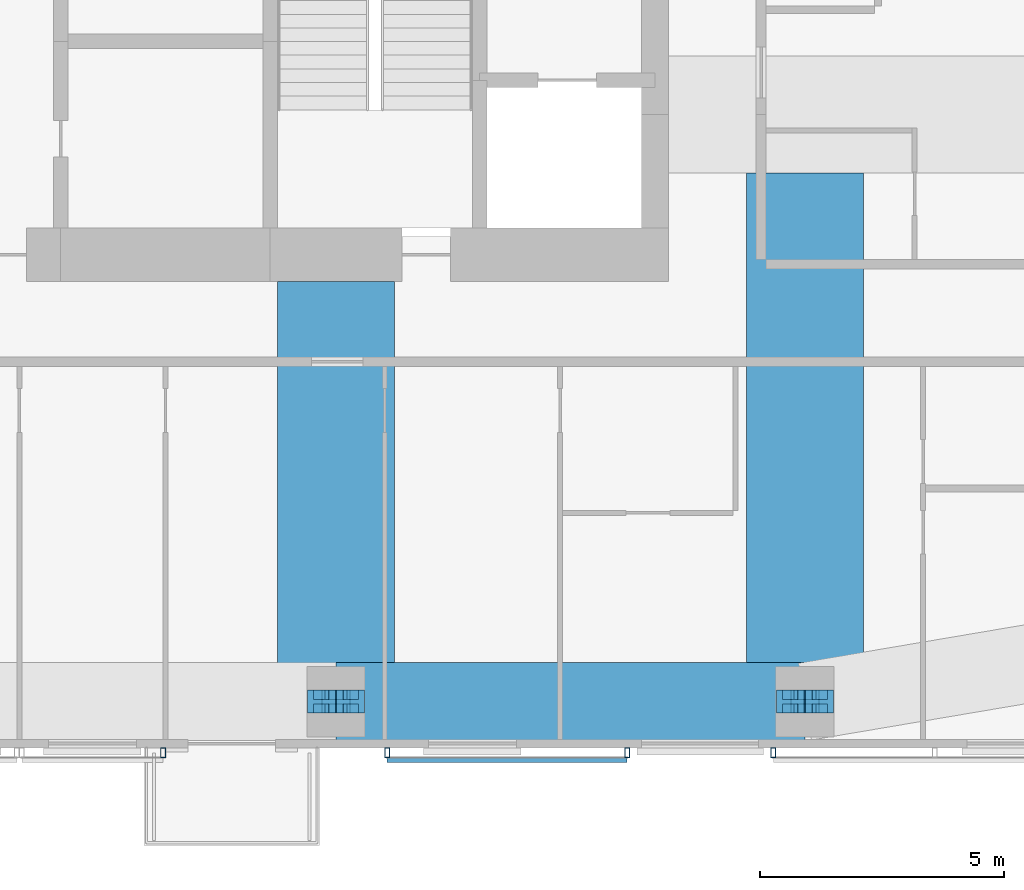
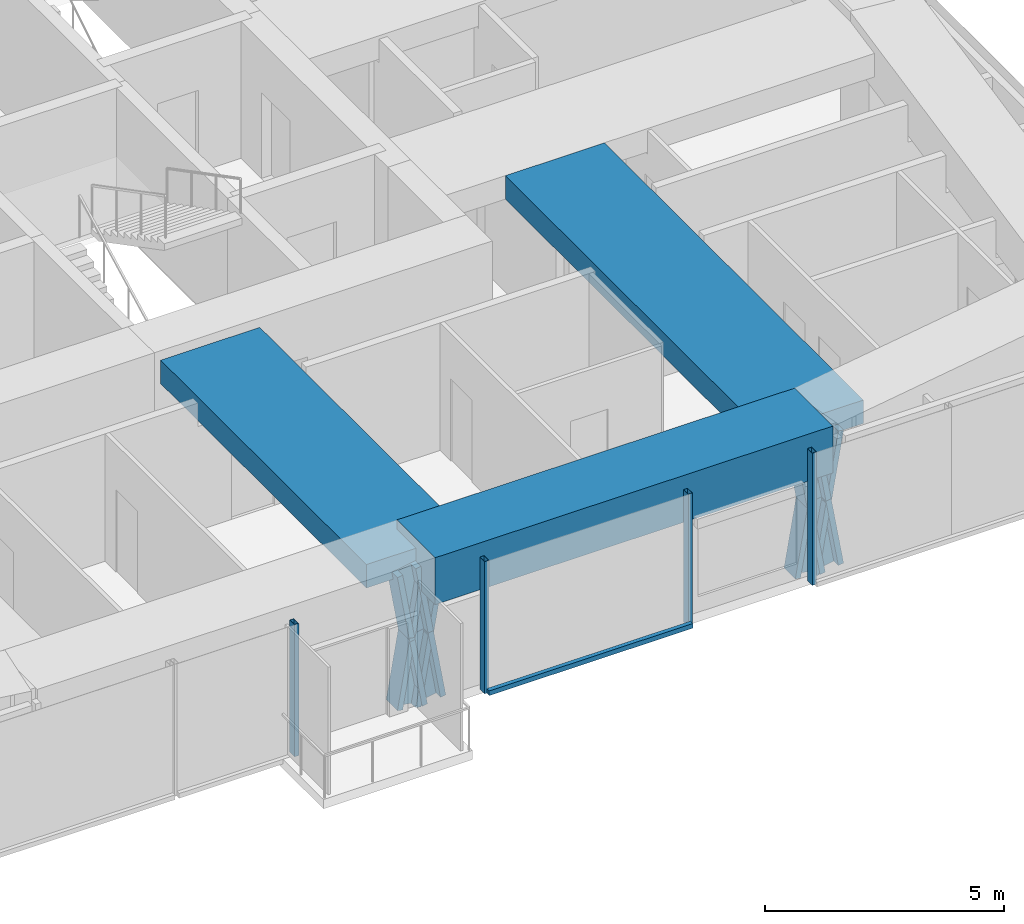
# One storey, part 4 of 18: 13 members, 3 beams, 3 elements without a shape of their own.
"""IFC4 building model written with IfcOpenShell, lengths in metres."""

from ifc_helpers import new_model, si_unit, direction, frame, origin, origin_2d, place, context, subcontext, project, spatial, rectangle, hollow_rectangle, i_section, extrude, material, material_profile, profile_set, type_object, element, aggregate, save


model = new_model("IFC4")

# Units and contexts
model_context = context("Model", 3, precision=1e-05, world=origin(), true_north=direction((0.0, 1.0)))
body_context = subcontext(model_context, "Body", "Model", "MODEL_VIEW")
ifc_project = project(units=[si_unit("LENGTHUNIT", "METRE"), si_unit("AREAUNIT", "SQUARE_METRE"), si_unit("VOLUMEUNIT", "CUBIC_METRE"), si_unit("PLANEANGLEUNIT", "RADIAN"), si_unit("MASSUNIT", "GRAM", prefix="KILO")], contexts=[model_context])

# Site, building, storey
site_placement = place(None, origin())
site = spatial("IfcSite", under=ifc_project, at=site_placement, CompositionType="ELEMENT")
building_placement = place(site_placement, origin())
building = spatial("IfcBuilding", under=site, at=building_placement, Name="Jalousie Tower", CompositionType="ELEMENT")
storey_placement = place(building_placement, frame((0.0, 0.0, 256.449951171875)))
storey = spatial("IfcBuildingStorey", under=building, at=storey_placement, Name="L70", CompositionType="ELEMENT", Elevation=256.449951171875)

# Members
ifc_material_1 = material(Name="Steel ASTM A992 Grade 50", Category="steel")
ifc_material_profile_1 = material_profile(ifc_material_1, i_section(OverallWidth=0.472412109375, OverallDepth=0.5791015625, WebThickness=0.094970703125, FlangeThickness=0.1298828125, at=origin_2d()), Name="W14X808")
ifc_profile_set_1 = profile_set([ifc_material_profile_1], Name="Steel ASTM A992 Grade 50")
member_type_1 = type_object("IfcMemberType", Name="PERIMETER BRACE W14X808", PredefinedType="BRACE", material=ifc_profile_set_1)
for number, where, z_axis, x_axis, name in (
    (1, (36.949951171875, 0.949951171875, -0.599853515625), (0.168990530437, 0.0, 0.98561767467), (0.0, 1.0, 0.0), "Perimeter brace 03 L70 part 1"),
    (2, (37.25, 0.949951171875, 1.150146484375), (0.168990530437, 0.0, 0.98561767467), (0.0, 1.0, 0.0), "Perimeter brace 03 L70 part 2"),
    (3, (37.550048828125, 0.949951171875, -0.599853515625), (-0.168990530437, 0.0, 0.98561767467), (0.0, -1.0, 0.0), "Perimeter brace 03 L70 part 3"),
    (4, (37.25, 0.949951171875, 1.150146484375), (-0.168990530437, 0.0, 0.98561767467), (0.0, -1.0, 0.0), "Perimeter brace 03 L70 part 4"),
    (5, (46.574951171875, 0.949951171875, -0.599853515625), (0.168990530437, 0.0, 0.98561767467), (0.0, 1.0, 0.0), "Perimeter brace 04 L70 part 1"),
    (6, (46.875, 0.949951171875, 1.150146484375), (0.168990530437, 0.0, 0.98561767467), (0.0, 1.0, 0.0), "Perimeter brace 04 L70 part 2"),
    (7, (47.175048828125, 0.949951171875, -0.599853515625), (-0.168990530437, 0.0, 0.98561767467), (0.0, -1.0, 0.0), "Perimeter brace 04 L70 part 3"),
    (8, (46.875, 0.949951171875, 1.150146484375), (-0.168990530437, 0.0, 0.98561767467), (0.0, -1.0, 0.0), "Perimeter brace 04 L70 part 4"),
):
    element("IfcMember", number, at=place(storey_placement, frame(where, z_axis=z_axis, x_axis=x_axis)), inside=storey, type_object=member_type_1, Name=name, PredefinedType="BRACE", context=body_context, shape_type="SweptSolid", body=[
        extrude(i_section(OverallWidth=0.472412109375, OverallDepth=0.5791015625, WebThickness=0.094970703125, FlangeThickness=0.1298828125, at=origin_2d()), origin(), (0.0, 0.0, 1.0), 1.775634765625),
    ])

# Beams
ifc_material_2 = material(Name="Concrete f'c 40 MPa", Category="concrete")
ifc_material_profile_2 = material_profile(ifc_material_2, rectangle(XDim=1.60009765625, YDim=1.199951171875, at=origin_2d()), Name="RC 1600x1200")
ifc_profile_set_2 = profile_set([ifc_material_profile_2], Name="Concrete f'c 40 MPa")
beam_type_1 = type_object("IfcBeamType", Name="RC BEAM 1600x1200", PredefinedType="BEAM", material=ifc_profile_set_2)
beam_1_placement = place(storey_placement, frame((37.25, 0.949951171875, 2.900146484375), z_axis=(1.0, 0.0, 0.0), x_axis=(0.0, 1.0, 0.0)))
element("IfcBeam", 9, at=beam_1_placement, inside=storey, type_object=beam_type_1, Name="Edge band beam 03-04 under L71", PredefinedType="BEAM", context=body_context, shape_type="SweptSolid", body=[
    extrude(rectangle(XDim=1.60009765625, YDim=1.199951171875, at=origin_2d()), origin(), (0.0, 0.0, 1.0), 9.625),
])
ifc_material_3 = material(Name="Concrete f'c 40 MPa", Category="concrete")
ifc_material_profile_3 = material_profile(ifc_material_3, rectangle(XDim=2.39990234375, YDim=0.60009765625, at=origin_2d()), Name="RC 2400x600")
ifc_profile_set_3 = profile_set([ifc_material_profile_3], Name="Concrete f'c 40 MPa")
beam_type_2 = type_object("IfcBeamType", Name="RC BEAM 2400x600", PredefinedType="BEAM", material=ifc_profile_set_3)
beam_2_placement = place(storey_placement, frame((37.25, 0.949951171875, 2.9599609375), z_axis=(0.0, 1.0, 0.0), x_axis=(-1.0, 0.0, 0.0)))
element("IfcBeam", 10, at=beam_2_placement, inside=storey, type_object=beam_type_2, Name="Floor band beam under L71", PredefinedType="BEAM", context=body_context, shape_type="SweptSolid", body=[
    extrude(rectangle(XDim=2.39990234375, YDim=0.60009765625, at=origin_2d()), origin(), (0.0, 0.0, 1.0), 8.625),
])
beam_3_placement = place(storey_placement, frame((46.875, 0.949951171875, 2.9599609375), z_axis=(0.0, 1.0, 0.0), x_axis=(-1.0, 0.0, 0.0)))
element("IfcBeam", 11, at=beam_3_placement, inside=storey, type_object=beam_type_2, Name="Floor band beam under L71", PredefinedType="BEAM", context=body_context, shape_type="SweptSolid", body=[
    extrude(rectangle(XDim=2.39990234375, YDim=0.60009765625, at=origin_2d()), origin(), (0.0, 0.0, 1.0), 10.85009765625),
])

# Curtain wall, member
ifc_material_4 = material(Name="Perforated aluminium sheet", Category="aluminium")
curtain_wall_type = type_object("IfcCurtainWallType", Name="SOLAR SCREEN SS-2", PredefinedType="USERDEFINED", material=ifc_material_4)
curtain_wall_1_placement = place(storey_placement, origin())
curtain_wall_1 = element("IfcCurtainWall", 12, at=curtain_wall_1_placement, inside=storey, type_object=curtain_wall_type, Name="Solar screen L70", ObjectType="SOLAR SCREEN SS-2", PredefinedType="USERDEFINED")
ifc_material_5 = material(Name="Steel ASTM A500 Grade C", Category="steel")
ifc_material_profile_4 = material_profile(ifc_material_5, hollow_rectangle(XDim=0.1015625, YDim=0.203125, WallThickness=0.0078125, at=origin_2d()), Name="HSS8X4X5/16")
ifc_profile_set_4 = profile_set([ifc_material_profile_4], Name="Steel ASTM A500 Grade C")
member_type_2 = type_object("IfcMemberType", Name="SOLAR SCREEN SS-2 MULLION", PredefinedType="MULLION", material=ifc_profile_set_4)
member_1_placement = place(storey_placement, frame((33.699951171875, -0.0966796875, -0.119873046875), z_axis=(0.0, 0.0, 1.0), x_axis=(1.0, 0.0, 0.0)))
member_1 = element("IfcMember", 13, at=member_1_placement, type_object=member_type_2, Name="SS2 post 2", PredefinedType="MULLION", context=body_context, shape_type="SweptSolid", body=[
    extrude(hollow_rectangle(XDim=0.1015625, YDim=0.203125, WallThickness=0.0078125, at=origin_2d()), origin(), (0.0, 0.0, 1.0), 3.3798828125),
])
aggregate(curtain_wall_1, [member_1])

# Curtain wall, members
curtain_wall_2_placement = place(storey_placement, origin())
curtain_wall_2 = element("IfcCurtainWall", 14, at=curtain_wall_2_placement, inside=storey, type_object=curtain_wall_type, Name="Solar screen L70", ObjectType="SOLAR SCREEN SS-2", PredefinedType="USERDEFINED")
member_2_placement = place(storey_placement, frame((38.300048828125, -0.0966796875, -0.119873046875), z_axis=(0.0, 0.0, 1.0), x_axis=(1.0, 0.0, 0.0)))
member_2 = element("IfcMember", 15, at=member_2_placement, type_object=member_type_2, Name="SS2 post 1", PredefinedType="MULLION", context=body_context, shape_type="SweptSolid", body=[
    extrude(hollow_rectangle(XDim=0.1015625, YDim=0.203125, WallThickness=0.0078125, at=origin_2d()), origin(), (0.0, 0.0, 1.0), 3.3798828125),
])
member_3_placement = place(storey_placement, frame((43.22509765625, -0.0966796875, -0.119873046875), z_axis=(0.0, 0.0, 1.0), x_axis=(1.0, 0.0, 0.0)))
member_3 = element("IfcMember", 16, at=member_3_placement, type_object=member_type_2, Name="SS2 post 2", PredefinedType="MULLION", context=body_context, shape_type="SweptSolid", body=[
    extrude(hollow_rectangle(XDim=0.1015625, YDim=0.203125, WallThickness=0.0078125, at=origin_2d()), origin(), (0.0, 0.0, 1.0), 3.3798828125),
])

# Curtain wall, member
curtain_wall_3_placement = place(storey_placement, origin())
curtain_wall_3 = element("IfcCurtainWall", 17, at=curtain_wall_3_placement, inside=storey, type_object=curtain_wall_type, Name="Solar screen L70", ObjectType="SOLAR SCREEN SS-2", PredefinedType="USERDEFINED")
member_4_placement = place(storey_placement, frame((46.22509765625, -0.0966796875, -0.119873046875), z_axis=(0.0, 0.0, 1.0), x_axis=(1.0, 0.0, 0.0)))
member_4 = element("IfcMember", 18, at=member_4_placement, type_object=member_type_2, Name="SS2 post 1", PredefinedType="MULLION", context=body_context, shape_type="SweptSolid", body=[
    extrude(hollow_rectangle(XDim=0.1015625, YDim=0.203125, WallThickness=0.0078125, at=origin_2d()), origin(), (0.0, 0.0, 1.0), 3.3798828125),
])
aggregate(curtain_wall_3, [member_4])

# Member
ifc_material_6 = material(Name="Extruded aluminium screen rail", Category="aluminium")
ifc_material_profile_5 = material_profile(ifc_material_6, rectangle(XDim=0.1015625, YDim=0.1201171875, at=origin_2d()), Name="RAIL 102x120")
ifc_profile_set_5 = profile_set([ifc_material_profile_5], Name="Extruded aluminium screen rail")
member_type_3 = type_object("IfcMemberType", Name="SOLAR SCREEN SS-2 TRANSOM", PredefinedType="USERDEFINED", material=ifc_profile_set_5)
member_5_placement = place(storey_placement, frame((38.300048828125, -0.2490234375, -0.06005859375), z_axis=(1.0, 0.0, 0.0), x_axis=(0.0, 1.0, 0.0)))
member_5 = element("IfcMember", 19, at=member_5_placement, type_object=member_type_3, Name="SS2 rail", ObjectType="TRANSOM", PredefinedType="USERDEFINED", context=body_context, shape_type="SweptSolid", body=[
    extrude(rectangle(XDim=0.1015625, YDim=0.1201171875, at=origin_2d()), origin(), (0.0, 0.0, 1.0), 4.925048828125),
])

aggregate(curtain_wall_2, [member_2, member_3, member_5])

save(model, "model.ifc")
